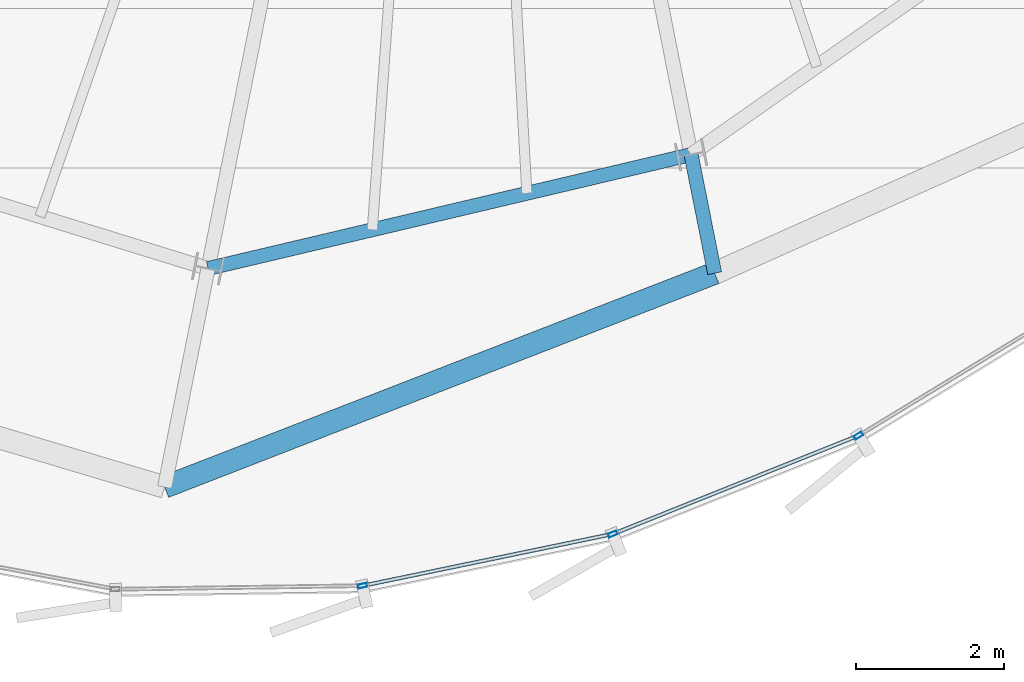
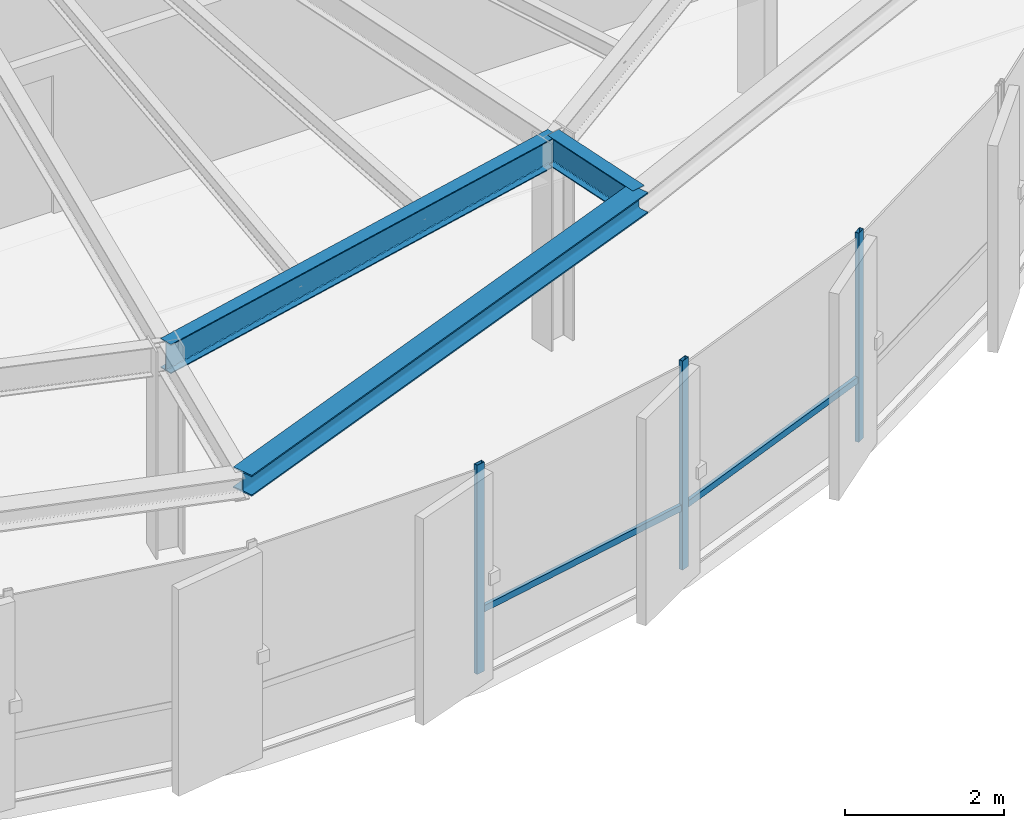
# One storey, part 7 of 32: 5 members, 3 beams, 1 element without a shape of its own.
"""IFC4 building model written with IfcOpenShell, lengths in metres."""

from ifc_helpers import new_model, si_unit, direction, frame, origin, origin_2d, place, context, subcontext, project, spatial, hollow_rectangle, i_section, extrude, source, transform, mapped, material, layer, layer_set, material_profile, profile_set, type_object, element, aggregate, save


model = new_model("IFC4")

# Units and contexts
model_context = context("Model", 3, precision=1e-05, world=origin(), true_north=direction((0.0, 1.0)))
body_context = subcontext(model_context, "Body", "Model", "MODEL_VIEW")
ifc_project = project(units=[si_unit("LENGTHUNIT", "METRE"), si_unit("AREAUNIT", "SQUARE_METRE"), si_unit("VOLUMEUNIT", "CUBIC_METRE"), si_unit("PLANEANGLEUNIT", "RADIAN"), si_unit("MASSUNIT", "GRAM", prefix="KILO"), si_unit("THERMODYNAMICTEMPERATUREUNIT", "KELVIN")], contexts=[model_context])

# Site, building, storey
site_placement = place(None, origin())
site = spatial("IfcSite", under=ifc_project, at=site_placement, CompositionType="ELEMENT")
building_placement = place(site_placement, origin())
building = spatial("IfcBuilding", under=site, at=building_placement, Name="Kethvar Cultural Tower", CompositionType="ELEMENT")
storey_placement = place(building_placement, frame((0.0, 0.0, 280.14990234375)))
storey = spatial("IfcBuildingStorey", under=building, at=storey_placement, Name="L74", CompositionType="ELEMENT", Elevation=280.14990234375)

# Beams
ifc_material_1 = material(Name="Steel S355J2", Category="steel")
ifc_material_profile_1 = material_profile(ifc_material_1, i_section(OverallWidth=0.18994140625, OverallDepth=0.449951171875, WebThickness=0.009521484375, FlangeThickness=0.0146484375, FilletRadius=0.02099609375, at=origin_2d()), Name="Steel S355J2 — IPE450")
ifc_profile_set_1 = profile_set([ifc_material_profile_1], Name="Steel S355J2 — IPE450")
beam_type_1 = type_object("IfcBeamType", Name="BM-IPE450", PredefinedType="BEAM", material=ifc_profile_set_1)
shared_shape_1 = source(origin(), body_context, "Body", "SweptSolid", [
    extrude(i_section(OverallWidth=0.18994140625, OverallDepth=0.449951171875, WebThickness=0.009521484375, FlangeThickness=0.0146484375, FilletRadius=0.02099609375, at=origin_2d()), origin(), (0.0, 0.0, 1.0), 6.6875),
])
beam_1_placement = place(storey_placement, frame((43.392822265625, 10.67138671875, 2.983154296875), z_axis=(0.973286301494, 0.22959480683, 0.0), x_axis=(-0.22959480683, 0.973286301494, 0.0)))
element("IfcBeam", 1, at=beam_1_placement, inside=storey, type_object=beam_type_1, Name="L74 Column Ring Tie Beam CR-12", PredefinedType="BEAM", context=body_context, shape_type="MappedRepresentation", body=[
    mapped(shared_shape_1, transform((0.0, 0.0, 0.0), scale=1.0)),
])
shared_shape_2 = source(origin(), body_context, "Body", "SweptSolid", [
    extrude(i_section(OverallWidth=0.18994140625, OverallDepth=0.449951171875, WebThickness=0.009521484375, FlangeThickness=0.0146484375, FilletRadius=0.02099609375, at=origin_2d()), origin(), (0.0, 0.0, 1.0), 1.630126953125),
])
beam_2_placement = place(storey_placement, frame((49.901611328125, 12.206787109375, 2.983154296875), z_axis=(0.195136839567, -0.98077602634, 0.0), x_axis=(0.98077602634, 0.195136839567, 0.0)))
element("IfcBeam", 2, at=beam_2_placement, inside=storey, type_object=beam_type_1, Name="L74 Perimeter Cantilever Beam RC-13", PredefinedType="BEAM", context=body_context, shape_type="MappedRepresentation", body=[
    mapped(shared_shape_2, transform((0.0, 0.0, 0.0), scale=1.0)),
])
ifc_material_profile_2 = material_profile(ifc_material_1, i_section(OverallWidth=0.300048828125, OverallDepth=0.320068359375, WebThickness=0.011474609375, FlangeThickness=0.0205078125, FilletRadius=0.027099609375, at=origin_2d()), Name="Steel S355J2 — HEB320")
ifc_profile_set_2 = profile_set([ifc_material_profile_2], Name="Steel S355J2 — HEB320")
beam_type_2 = type_object("IfcBeamType", Name="BM-SP320", PredefinedType="SPANDREL", material=ifc_profile_set_2)
shared_shape_3 = source(origin(), body_context, "Body", "SweptSolid", [
    extrude(i_section(OverallWidth=0.300048828125, OverallDepth=0.320068359375, WebThickness=0.011474609375, FlangeThickness=0.0205078125, FilletRadius=0.027099609375, at=origin_2d()), origin(), (0.0, 0.0, 1.0), 7.952880859375),
])
beam_3_placement = place(storey_placement, frame((42.80712890625, 7.726806640625, 3.048095703125), z_axis=(0.932071484865, 0.362274408566, 0.0), x_axis=(-0.362274408566, 0.932071484865, 0.0)))
element("IfcBeam", 3, at=beam_3_placement, inside=storey, type_object=beam_type_2, Name="L74 Perimeter Spandrel Beam SP-12", PredefinedType="SPANDREL", context=body_context, shape_type="MappedRepresentation", body=[
    mapped(shared_shape_3, transform((0.0, 0.0, 0.0), scale=1.0)),
])

# Curtain wall, members
ifc_material_2 = material(Name="Aluminium 6063-T6", Category="aluminium")
ifc_layer = layer(ifc_material_2, 0.179931640625, Name="Aluminium 6063-T6", Category="aluminium")
ifc_layer_set = layer_set([ifc_layer], Name="Aluminium 6063-T6 (180 mm)")
curtain_wall_type = type_object("IfcCurtainWallType", Name="CW-SYS-05-Z56", PredefinedType="NOTDEFINED", material=ifc_layer_set)
curtain_wall_placement = place(storey_placement, origin())
curtain_wall = element("IfcCurtainWall", 4, at=curtain_wall_placement, inside=storey, type_object=curtain_wall_type, Name="L74 Curtain Wall Run 04", PredefinedType="NOTDEFINED")
ifc_material_profile_3 = material_profile(ifc_material_2, hollow_rectangle(XDim=0.054931640625, YDim=0.1201171875, WallThickness=0.00390625, at=origin_2d()), Name="Aluminium 6063-T6 — RHS120x55x4")
ifc_profile_set_3 = profile_set([ifc_material_profile_3], Name="Aluminium 6063-T6 — RHS120x55x4")
member_type_1 = type_object("IfcMemberType", Name="CW-SYS-05-Z56-MUL", PredefinedType="MULLION", material=ifc_profile_set_3)
shared_shape_4 = source(origin(), body_context, "Body", "SweptSolid", [
    extrude(hollow_rectangle(XDim=0.054931640625, YDim=0.1201171875, WallThickness=0.00390625, at=origin_2d()), origin(), (0.0, 0.0, 1.0), 3.210205078125),
])
member_1_placement = place(storey_placement, frame((45.47509765625, 6.396240234375, 0.0), z_axis=(0.0, 0.0, 1.0), x_axis=(-0.202838567065, 0.979212191362, 0.0)))
member_1 = element("IfcMember", 5, at=member_1_placement, type_object=member_type_1, Name="CW-L74-R04 Mullion 4", PredefinedType="MULLION", context=body_context, shape_type="MappedRepresentation", body=[
    mapped(shared_shape_4, transform((0.0, 0.0, 0.0), scale=1.0)),
])
member_2_placement = place(storey_placement, frame((48.847412109375, 7.09326171875, 0.0), z_axis=(0.0, 0.0, 1.0), x_axis=(-0.372258946722, 0.92812891162, 0.0)))
member_2 = element("IfcMember", 6, at=member_2_placement, type_object=member_type_1, Name="CW-L74-R04 Mullion 5", PredefinedType="MULLION", context=body_context, shape_type="MappedRepresentation", body=[
    mapped(shared_shape_4, transform((0.0, 0.0, 0.0), scale=1.0)),
])
member_3_placement = place(storey_placement, frame((52.158203125, 8.419677734375, 0.0), z_axis=(0.0, 0.0, 1.0), x_axis=(-0.520175135901, 0.854059616181, 0.0)))
member_3 = element("IfcMember", 7, at=member_3_placement, type_object=member_type_1, Name="CW-L74-R04 Mullion 6", PredefinedType="MULLION", context=body_context, shape_type="MappedRepresentation", body=[
    mapped(shared_shape_4, transform((0.0, 0.0, 0.0), scale=1.0)),
])
ifc_material_profile_4 = material_profile(ifc_material_2, hollow_rectangle(XDim=0.050048828125, YDim=0.10009765625, WallThickness=0.00390625, at=origin_2d()), Name="Aluminium 6063-T6 — RHS100x50x4")
ifc_profile_set_4 = profile_set([ifc_material_profile_4], Name="Aluminium 6063-T6 — RHS100x50x4")
member_type_2 = type_object("IfcMemberType", Name="CW-SYS-05-Z56-TRN", PredefinedType="USERDEFINED", material=ifc_profile_set_4)
shared_shape_5 = source(origin(), body_context, "Body", "SweptSolid", [
    extrude(hollow_rectangle(XDim=0.050048828125, YDim=0.10009765625, WallThickness=0.00390625, at=origin_2d()), origin(), (0.0, 0.0, 1.0), 3.504150390625),
])
member_4_placement = place(storey_placement, frame((48.884033203125, 7.10791015625, 0.9501953125), z_axis=(0.92812550491, 0.372267440337, 0.0), x_axis=(-0.372267440337, 0.92812550491, 0.0)))
member_4 = element("IfcMember", 8, at=member_4_placement, type_object=member_type_2, Name="CW-L74-R04 Transom 5", ObjectType="TRANSOM", PredefinedType="USERDEFINED", context=body_context, shape_type="MappedRepresentation", body=[
    mapped(shared_shape_5, transform((0.0, 0.0, 0.0), scale=1.0)),
])
shared_shape_6 = source(origin(), body_context, "Body", "SweptSolid", [
    extrude(hollow_rectangle(XDim=0.050048828125, YDim=0.10009765625, WallThickness=0.00390625, at=origin_2d()), origin(), (0.0, 0.0, 1.0), 3.3818359375),
])
member_5_placement = place(storey_placement, frame((45.513916015625, 6.404296875, 0.9501953125), z_axis=(0.979208033436, 0.202858638599, 0.0), x_axis=(-0.202858638599, 0.979208033436, 0.0)))
member_5 = element("IfcMember", 9, at=member_5_placement, type_object=member_type_2, Name="CW-L74-R04 Transom 4", ObjectType="TRANSOM", PredefinedType="USERDEFINED", context=body_context, shape_type="MappedRepresentation", body=[
    mapped(shared_shape_6, transform((0.0, 0.0, 0.0), scale=1.0)),
])
aggregate(curtain_wall, [member_1, member_2, member_3, member_5, member_4])

save(model, "model.ifc")
